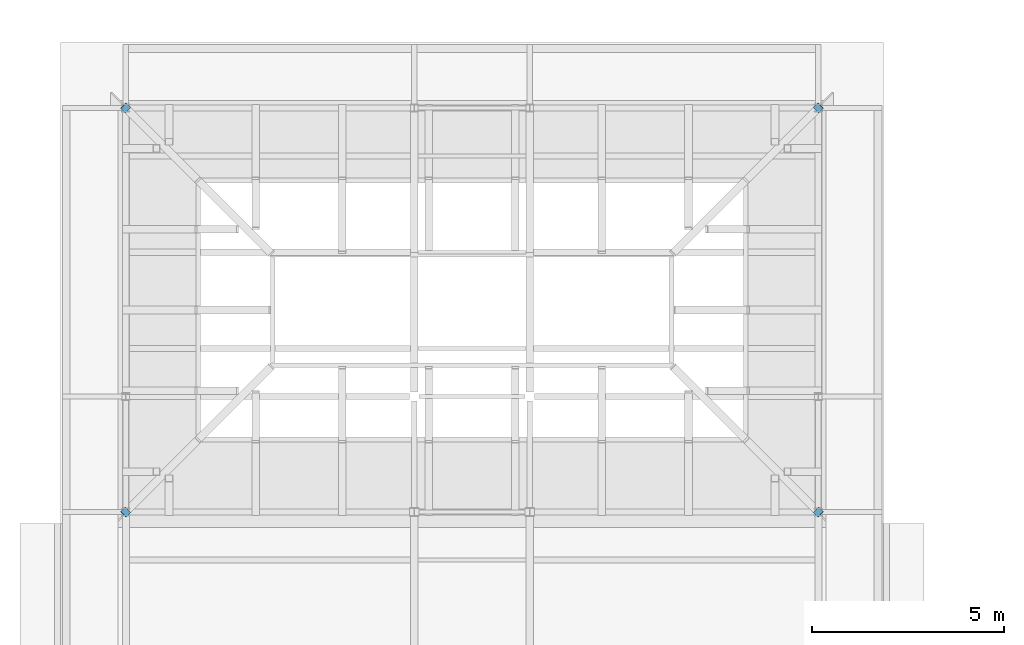
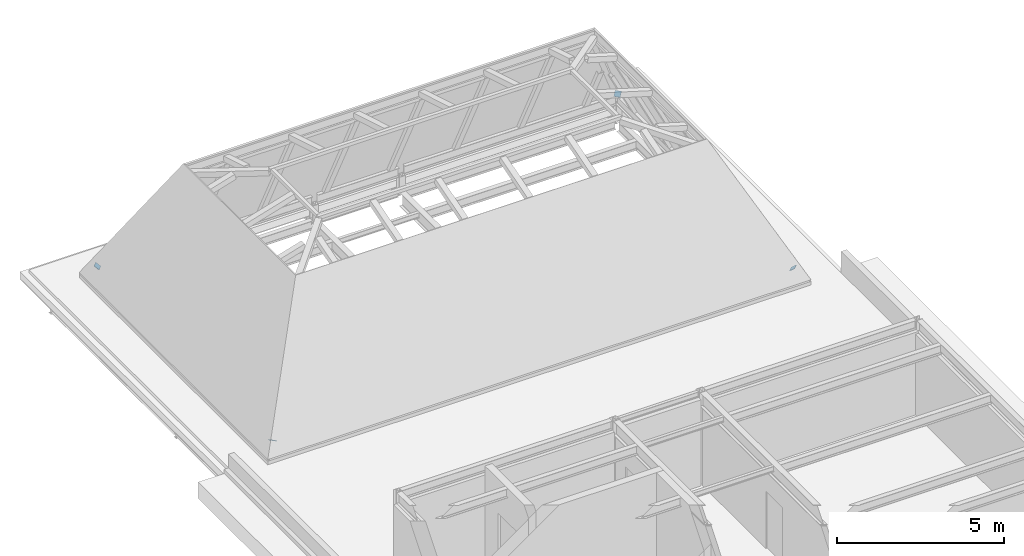
# One storey, part 24 of 29: 4 discrete accessories.
"""IFC4 building model written with IfcOpenShell, lengths in metres."""

from ifc_helpers import new_model, si_unit, direction, frame, origin, origin_2d, place, context, subcontext, project, spatial, rectangle, extrude, material, material_profile, profile_set, type_object, element, save


model = new_model("IFC4")

# Units and contexts
model_context = context("Model", 3, precision=1e-05, world=origin(), true_north=direction((0.0, 1.0)))
body_context = subcontext(model_context, "Body", "Model", "MODEL_VIEW")
ifc_project = project(units=[si_unit("LENGTHUNIT", "METRE"), si_unit("AREAUNIT", "SQUARE_METRE"), si_unit("VOLUMEUNIT", "CUBIC_METRE"), si_unit("PLANEANGLEUNIT", "RADIAN"), si_unit("MASSUNIT", "GRAM", prefix="KILO")], contexts=[model_context])

# Site, building, storey
site_placement = place(None, origin())
site = spatial("IfcSite", under=ifc_project, at=site_placement, CompositionType="ELEMENT")
building_placement = place(site_placement, origin())
building = spatial("IfcBuilding", under=site, at=building_placement, Name="Golden Quay Civic Hall", CompositionType="ELEMENT")
storey_placement = place(building_placement, frame((0.0, 0.0, 27.0)))
storey = spatial("IfcBuildingStorey", under=building, at=storey_placement, Name="L06", CompositionType="ELEMENT", Elevation=27.0)

# Discrete accessories
ifc_material = material(Name="Steel S355", Category="steel")
ifc_material_profile = material_profile(ifc_material, rectangle(XDim=0.199951171875, YDim=0.199951171875, at=origin_2d()), Name="Steel end cap plate 200x200x16")
ifc_profile_set = profile_set([ifc_material_profile], Name="Steel S355")
discrete_accessory_type = type_object("IfcDiscreteAccessoryType", Name="Steel end cap plate 200x200x16", PredefinedType="BRACKET", material=ifc_profile_set)
for number, where, z_axis, x_axis, name in (
    (1, (0.0, 70.5, 0.642578125), (-0.413335248502, -0.413335248502, -0.811361784096), (0.707106781187, -0.707106781187, 0.0), "End cap hip rafter WO-N south-west"),
    (2, (18.0, 70.5, 0.642578125), (0.413335248502, -0.413335248502, -0.811361784096), (0.707106781187, 0.707106781187, 0.0), "End cap hip rafter WO-N south-east"),
    (3, (0.0, 81.0, 0.642578125), (-0.413335248502, 0.413335248502, -0.811361784096), (-0.707106781187, -0.707106781187, 0.0), "End cap hip rafter WO-N north-west"),
    (4, (18.0, 81.0, 0.642578125), (0.413335248502, 0.413335248502, -0.811361784096), (-0.707106781187, 0.707106781187, 0.0), "End cap hip rafter WO-N north-east"),
):
    element("IfcDiscreteAccessory", number, at=place(storey_placement, frame(where, z_axis=z_axis, x_axis=x_axis)), inside=storey, type_object=discrete_accessory_type, Name=name, PredefinedType="BRACKET", context=body_context, shape_type="SweptSolid", body=[
        extrude(rectangle(XDim=0.199951171875, YDim=0.199951171875, at=origin_2d()), origin(), (0.0, 0.0, 1.0), 0.015869140625),
    ])

save(model, "model.ifc")
